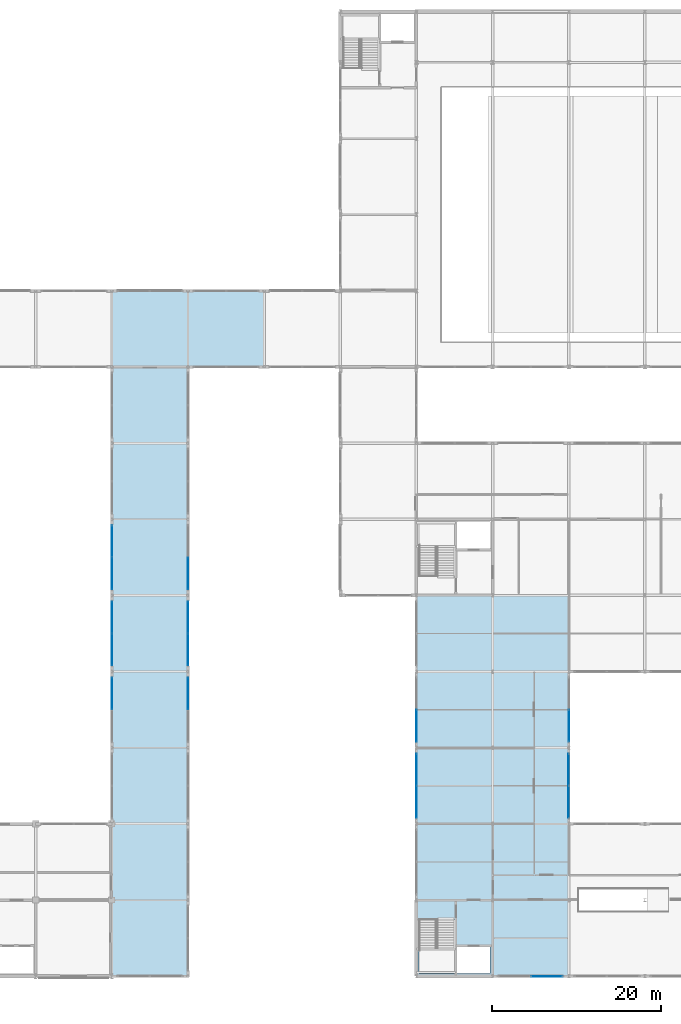
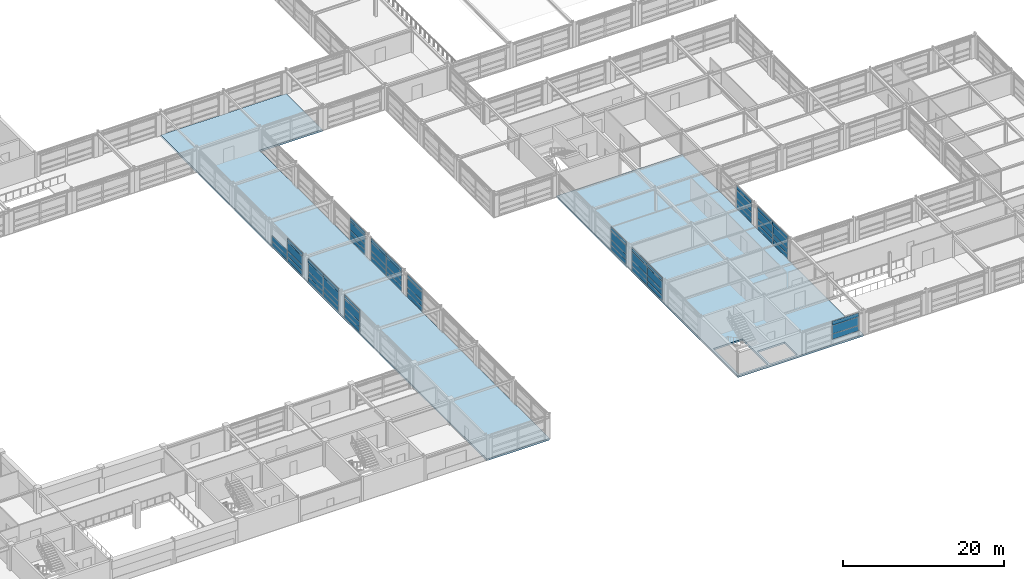
# One storey, part 52 of 79: 61 plates, 2 slabs, 11 elements without a shape of their own.
"""IFC4 building model written with IfcOpenShell, lengths in metres."""

from ifc_helpers import new_model, si_unit, direction, frame, origin, origin_2d, place, context, subcontext, project, spatial, polyline, rectangle, outline, extrude, material, layer, layer_set, type_object, element, aggregate, save


model = new_model("IFC4")

# Units and contexts
model_context = context("Model", 3, precision=1e-05, world=origin(), true_north=direction((0.0, 1.0)))
body_context = subcontext(model_context, "Body", "Model", "MODEL_VIEW")
ifc_project = project(units=[si_unit("LENGTHUNIT", "METRE"), si_unit("AREAUNIT", "SQUARE_METRE"), si_unit("VOLUMEUNIT", "CUBIC_METRE"), si_unit("PLANEANGLEUNIT", "RADIAN"), si_unit("MASSUNIT", "GRAM", prefix="KILO")], contexts=[model_context])

# Site, building, storey
site_placement = place(None, origin())
site = spatial("IfcSite", under=ifc_project, at=site_placement, CompositionType="ELEMENT")
building_placement = place(site_placement, origin())
building = spatial("IfcBuilding", under=site, at=building_placement, Name="Palais des Congres Ocreval", CompositionType="ELEMENT")
storey_placement = place(building_placement, frame((0.0, 0.0, 4.320068359375)))
storey = spatial("IfcBuildingStorey", under=building, at=storey_placement, Name="L01", CompositionType="ELEMENT", Elevation=4.320068359375)

# Curtain wall, plates
ifc_material_1 = material(Name="Anodized bronze aluminium and low-E glass", Category="glass")
curtain_wall_type = type_object("IfcCurtainWallType", Name="Unitised Curtain Wall 7900x3660", PredefinedType="USERDEFINED", material=ifc_material_1)
curtain_wall_1_placement = place(storey_placement, origin())
curtain_wall_1 = element("IfcCurtainWall", 1, at=curtain_wall_1_placement, inside=storey, type_object=curtain_wall_type, Name="Unitised Curtain Wall CW02 L01", ObjectType="UNITISED CURTAIN WALL", PredefinedType="USERDEFINED")
ifc_material_2 = material(Name="Acoustic triple glazing", Category="glass")
ifc_layer_1 = layer(ifc_material_2, 0.0439453125)
ifc_layer_set_1 = layer_set([ifc_layer_1], Name="Acoustic Laminated Glazing Panel 44 (Acoustic triple glazing)")
plate_type_1 = type_object("IfcPlateType", Name="Acoustic Laminated Glazing Panel 44", PredefinedType="CURTAIN_PANEL", material=ifc_layer_set_1)
plate_1_placement = place(storey_placement, frame((123.40625, 0.0, 0.81005859375), z_axis=(0.0, 0.0, 1.0), x_axis=(-1.0, 0.0, 0.0)))
plate_1 = element("IfcPlate", 2, at=plate_1_placement, type_object=plate_type_1, Name="Vision Glazing Panel VP02", PredefinedType="CURTAIN_PANEL", context=body_context, shape_type="SweptSolid", body=[
    extrude(rectangle(XDim=3.737548828125, YDim=0.0439453125, at=origin_2d()), origin(), (0.0, 0.0, 1.0), 0.782470703125),
])
plate_2_placement = place(storey_placement, frame((123.40625, 0.0, 1.65234375), z_axis=(0.0, 0.0, 1.0), x_axis=(-1.0, 0.0, 0.0)))
plate_2 = element("IfcPlate", 3, at=plate_2_placement, type_object=plate_type_1, Name="Vision Glazing Panel VP02", PredefinedType="CURTAIN_PANEL", context=body_context, shape_type="SweptSolid", body=[
    extrude(rectangle(XDim=3.737548828125, YDim=0.0439453125, at=origin_2d()), origin(), (0.0, 0.0, 1.0), 1.267578125),
])

curtain_wall_2_placement = place(storey_placement, origin())
curtain_wall_2 = element("IfcCurtainWall", 4, at=curtain_wall_2_placement, inside=storey, type_object=curtain_wall_type, Name="Unitised Curtain Wall CW02 L01", ObjectType="UNITISED CURTAIN WALL", PredefinedType="USERDEFINED")
plate_3_placement = place(storey_placement, frame((108.0, 29.59375, 0.06005859375), z_axis=(0.0, 0.0, 1.0), x_axis=(0.0, 1.0, 0.0)))
plate_3 = element("IfcPlate", 5, at=plate_3_placement, type_object=plate_type_1, Name="Vision Glazing Panel VP02", PredefinedType="CURTAIN_PANEL", context=body_context, shape_type="SweptSolid", body=[
    extrude(rectangle(XDim=3.737548828125, YDim=0.0439453125, at=origin_2d()), origin(), (0.0, 0.0, 1.0), 0.68994140625),
])
plate_4_placement = place(storey_placement, frame((108.0, 29.59375, 0.81005859375), z_axis=(0.0, 0.0, 1.0), x_axis=(0.0, 1.0, 0.0)))
plate_4 = element("IfcPlate", 6, at=plate_4_placement, type_object=plate_type_1, Name="Vision Glazing Panel VP02", PredefinedType="CURTAIN_PANEL", context=body_context, shape_type="SweptSolid", body=[
    extrude(rectangle(XDim=3.737548828125, YDim=0.0439453125, at=origin_2d()), origin(), (0.0, 0.0, 1.0), 0.782470703125),
])
plate_5_placement = place(storey_placement, frame((108.0, 29.59375, 1.65234375), z_axis=(0.0, 0.0, 1.0), x_axis=(0.0, 1.0, 0.0)))
plate_5 = element("IfcPlate", 7, at=plate_5_placement, type_object=plate_type_1, Name="Vision Glazing Panel VP02", PredefinedType="CURTAIN_PANEL", context=body_context, shape_type="SweptSolid", body=[
    extrude(rectangle(XDim=3.737548828125, YDim=0.0439453125, at=origin_2d()), origin(), (0.0, 0.0, 1.0), 1.267578125),
])

curtain_wall_3_placement = place(storey_placement, origin())
curtain_wall_3 = element("IfcCurtainWall", 8, at=curtain_wall_3_placement, inside=storey, type_object=curtain_wall_type, Name="Unitised Curtain Wall CW02 L01", ObjectType="UNITISED CURTAIN WALL", PredefinedType="USERDEFINED")
plate_6_placement = place(storey_placement, frame((81.0, 33.40625, 0.06005859375), z_axis=(0.0, 0.0, 1.0), x_axis=(0.0, -1.0, 0.0)))
plate_6 = element("IfcPlate", 9, at=plate_6_placement, type_object=plate_type_1, Name="Vision Glazing Panel VP02", PredefinedType="CURTAIN_PANEL", context=body_context, shape_type="SweptSolid", body=[
    extrude(rectangle(XDim=3.737548828125, YDim=0.0439453125, at=origin_2d()), origin(), (0.0, 0.0, 1.0), 0.68994140625),
])
plate_7_placement = place(storey_placement, frame((81.0, 33.40625, 0.81005859375), z_axis=(0.0, 0.0, 1.0), x_axis=(0.0, -1.0, 0.0)))
plate_7 = element("IfcPlate", 10, at=plate_7_placement, type_object=plate_type_1, Name="Vision Glazing Panel VP02", PredefinedType="CURTAIN_PANEL", context=body_context, shape_type="SweptSolid", body=[
    extrude(rectangle(XDim=3.737548828125, YDim=0.0439453125, at=origin_2d()), origin(), (0.0, 0.0, 1.0), 0.777099609375),
])
plate_8_placement = place(storey_placement, frame((81.0, 33.40625, 1.64697265625), z_axis=(0.0, 0.0, 1.0), x_axis=(0.0, -1.0, 0.0)))
plate_8 = element("IfcPlate", 11, at=plate_8_placement, type_object=plate_type_1, Name="Vision Glazing Panel VP02", PredefinedType="CURTAIN_PANEL", context=body_context, shape_type="SweptSolid", body=[
    extrude(rectangle(XDim=3.737548828125, YDim=0.0439453125, at=origin_2d()), origin(), (0.0, 0.0, 1.0), 1.262939453125),
])

curtain_wall_4_placement = place(storey_placement, origin())
curtain_wall_4 = element("IfcCurtainWall", 12, at=curtain_wall_4_placement, inside=storey, type_object=curtain_wall_type, Name="Unitised Curtain Wall CW02 L01", ObjectType="UNITISED CURTAIN WALL", PredefinedType="USERDEFINED")
plate_9_placement = place(storey_placement, frame((72.0, 47.59375, 0.06005859375), z_axis=(0.0, 0.0, 1.0), x_axis=(0.0, 1.0, 0.0)))
plate_9 = element("IfcPlate", 13, at=plate_9_placement, type_object=plate_type_1, Name="Vision Glazing Panel VP02", PredefinedType="CURTAIN_PANEL", context=body_context, shape_type="SweptSolid", body=[
    extrude(rectangle(XDim=3.737548828125, YDim=0.0439453125, at=origin_2d()), origin(), (0.0, 0.0, 1.0), 0.68994140625),
])
plate_10_placement = place(storey_placement, frame((72.0, 47.59375, 0.81005859375), z_axis=(0.0, 0.0, 1.0), x_axis=(0.0, 1.0, 0.0)))
plate_10 = element("IfcPlate", 14, at=plate_10_placement, type_object=plate_type_1, Name="Vision Glazing Panel VP02", PredefinedType="CURTAIN_PANEL", context=body_context, shape_type="SweptSolid", body=[
    extrude(rectangle(XDim=3.737548828125, YDim=0.0439453125, at=origin_2d()), origin(), (0.0, 0.0, 1.0), 0.777099609375),
])
plate_11_placement = place(storey_placement, frame((72.0, 47.59375, 1.64697265625), z_axis=(0.0, 0.0, 1.0), x_axis=(0.0, 1.0, 0.0)))
plate_11 = element("IfcPlate", 15, at=plate_11_placement, type_object=plate_type_1, Name="Vision Glazing Panel VP02", PredefinedType="CURTAIN_PANEL", context=body_context, shape_type="SweptSolid", body=[
    extrude(rectangle(XDim=3.737548828125, YDim=0.0439453125, at=origin_2d()), origin(), (0.0, 0.0, 1.0), 1.262939453125),
])
plate_12_placement = place(storey_placement, frame((72.0, 51.40625, 0.06005859375), z_axis=(0.0, 0.0, 1.0), x_axis=(0.0, 1.0, 0.0)))
plate_12 = element("IfcPlate", 16, at=plate_12_placement, type_object=plate_type_1, Name="Vision Glazing Panel VP02", PredefinedType="CURTAIN_PANEL", context=body_context, shape_type="SweptSolid", body=[
    extrude(rectangle(XDim=3.737548828125, YDim=0.0439453125, at=origin_2d()), origin(), (0.0, 0.0, 1.0), 0.68994140625),
])
plate_13_placement = place(storey_placement, frame((72.0, 51.40625, 0.81005859375), z_axis=(0.0, 0.0, 1.0), x_axis=(0.0, 1.0, 0.0)))
plate_13 = element("IfcPlate", 17, at=plate_13_placement, type_object=plate_type_1, Name="Vision Glazing Panel VP02", PredefinedType="CURTAIN_PANEL", context=body_context, shape_type="SweptSolid", body=[
    extrude(rectangle(XDim=3.737548828125, YDim=0.0439453125, at=origin_2d()), origin(), (0.0, 0.0, 1.0), 0.777099609375),
])

curtain_wall_5_placement = place(storey_placement, origin())
curtain_wall_5 = element("IfcCurtainWall", 18, at=curtain_wall_5_placement, inside=storey, type_object=curtain_wall_type, Name="Unitised Curtain Wall CW02 L01", ObjectType="UNITISED CURTAIN WALL", PredefinedType="USERDEFINED")
plate_14_placement = place(storey_placement, frame((126.0, 24.40625, 0.06005859375), z_axis=(0.0, 0.0, 1.0), x_axis=(0.0, -1.0, 0.0)))
plate_14 = element("IfcPlate", 19, at=plate_14_placement, type_object=plate_type_1, Name="Vision Glazing Panel VP02", PredefinedType="CURTAIN_PANEL", context=body_context, shape_type="SweptSolid", body=[
    extrude(rectangle(XDim=3.737548828125, YDim=0.0439453125, at=origin_2d()), origin(), (0.0, 0.0, 1.0), 0.68994140625),
])
plate_15_placement = place(storey_placement, frame((126.0, 24.40625, 0.81005859375), z_axis=(0.0, 0.0, 1.0), x_axis=(0.0, -1.0, 0.0)))
plate_15 = element("IfcPlate", 20, at=plate_15_placement, type_object=plate_type_1, Name="Vision Glazing Panel VP02", PredefinedType="CURTAIN_PANEL", context=body_context, shape_type="SweptSolid", body=[
    extrude(rectangle(XDim=3.737548828125, YDim=0.0439453125, at=origin_2d()), origin(), (0.0, 0.0, 1.0), 0.782470703125),
])
plate_16_placement = place(storey_placement, frame((126.0, 24.40625, 1.65234375), z_axis=(0.0, 0.0, 1.0), x_axis=(0.0, -1.0, 0.0)))
plate_16 = element("IfcPlate", 21, at=plate_16_placement, type_object=plate_type_1, Name="Vision Glazing Panel VP02", PredefinedType="CURTAIN_PANEL", context=body_context, shape_type="SweptSolid", body=[
    extrude(rectangle(XDim=3.737548828125, YDim=0.0439453125, at=origin_2d()), origin(), (0.0, 0.0, 1.0), 1.267578125),
])
plate_17_placement = place(storey_placement, frame((126.0, 20.59375, 0.06005859375), z_axis=(0.0, 0.0, 1.0), x_axis=(0.0, -1.0, 0.0)))
plate_17 = element("IfcPlate", 22, at=plate_17_placement, type_object=plate_type_1, Name="Vision Glazing Panel VP02", PredefinedType="CURTAIN_PANEL", context=body_context, shape_type="SweptSolid", body=[
    extrude(rectangle(XDim=3.737548828125, YDim=0.0439453125, at=origin_2d()), origin(), (0.0, 0.0, 1.0), 0.68994140625),
])
plate_18_placement = place(storey_placement, frame((126.0, 20.59375, 0.81005859375), z_axis=(0.0, 0.0, 1.0), x_axis=(0.0, -1.0, 0.0)))
plate_18 = element("IfcPlate", 23, at=plate_18_placement, type_object=plate_type_1, Name="Vision Glazing Panel VP02", PredefinedType="CURTAIN_PANEL", context=body_context, shape_type="SweptSolid", body=[
    extrude(rectangle(XDim=3.737548828125, YDim=0.0439453125, at=origin_2d()), origin(), (0.0, 0.0, 1.0), 0.782470703125),
])
plate_19_placement = place(storey_placement, frame((126.0, 20.59375, 1.65234375), z_axis=(0.0, 0.0, 1.0), x_axis=(0.0, -1.0, 0.0)))
plate_19 = element("IfcPlate", 24, at=plate_19_placement, type_object=plate_type_1, Name="Vision Glazing Panel VP02", PredefinedType="CURTAIN_PANEL", context=body_context, shape_type="SweptSolid", body=[
    extrude(rectangle(XDim=3.737548828125, YDim=0.0439453125, at=origin_2d()), origin(), (0.0, 0.0, 1.0), 1.267578125),
])

# Plate
ifc_material_3 = material(Name="Anodized bronze aluminium", Category="aluminium")
ifc_layer_2 = layer(ifc_material_3, 0.06005859375)
ifc_layer_set_2 = layer_set([ifc_layer_2], Name="Anodized Bronze Spandrel Cassette 60 (Anodized bronze aluminium)")
plate_type_2 = type_object("IfcPlateType", Name="Anodized Bronze Spandrel Cassette 60", PredefinedType="SHEET", material=ifc_layer_set_2)
plate_20_placement = place(storey_placement, frame((108.0, 29.59375, 2.97998046875), z_axis=(0.0, 0.0, 1.0), x_axis=(0.0, 1.0, 0.0)))
plate_20 = element("IfcPlate", 25, at=plate_20_placement, type_object=plate_type_2, Name="Spandrel Sheet SPN1", PredefinedType="SHEET", context=body_context, shape_type="SweptSolid", body=[
    extrude(rectangle(XDim=3.737548828125, YDim=0.06005859375, at=origin_2d()), origin(), (0.0, 0.0, 1.0), 0.56005859375),
])

aggregate(curtain_wall_2, [plate_3, plate_4, plate_5, plate_20])

# Curtain wall, plate
curtain_wall_6_placement = place(storey_placement, origin())
curtain_wall_6 = element("IfcCurtainWall", 26, at=curtain_wall_6_placement, inside=storey, type_object=curtain_wall_type, Name="Unitised Curtain Wall CW02 L01", ObjectType="UNITISED CURTAIN WALL", PredefinedType="USERDEFINED")
plate_21_placement = place(storey_placement, frame((81.0, 47.59375, 2.969970703125), z_axis=(0.0, 0.0, 1.0), x_axis=(0.0, -1.0, 0.0)))
plate_21 = element("IfcPlate", 27, at=plate_21_placement, type_object=plate_type_2, Name="Spandrel Sheet SPN1", PredefinedType="SHEET", context=body_context, shape_type="SweptSolid", body=[
    extrude(rectangle(XDim=3.737548828125, YDim=0.06005859375, at=origin_2d()), origin(), (0.0, 0.0, 1.0), 0.56005859375),
])

# Plate
plate_22_placement = place(storey_placement, frame((81.0, 33.40625, 2.969970703125), z_axis=(0.0, 0.0, 1.0), x_axis=(0.0, -1.0, 0.0)))
plate_22 = element("IfcPlate", 28, at=plate_22_placement, type_object=plate_type_2, Name="Spandrel Sheet SPN1", PredefinedType="SHEET", context=body_context, shape_type="SweptSolid", body=[
    extrude(rectangle(XDim=3.737548828125, YDim=0.06005859375, at=origin_2d()), origin(), (0.0, 0.0, 1.0), 0.56005859375),
])

aggregate(curtain_wall_3, [plate_6, plate_7, plate_8, plate_22])

# Curtain wall, plate
curtain_wall_7_placement = place(storey_placement, origin())
curtain_wall_7 = element("IfcCurtainWall", 29, at=curtain_wall_7_placement, inside=storey, type_object=curtain_wall_type, Name="Unitised Curtain Wall CW02 L01", ObjectType="UNITISED CURTAIN WALL", PredefinedType="USERDEFINED")
plate_23_placement = place(storey_placement, frame((72.0, 33.40625, 2.969970703125), z_axis=(0.0, 0.0, 1.0), x_axis=(0.0, 1.0, 0.0)))
plate_23 = element("IfcPlate", 30, at=plate_23_placement, type_object=plate_type_2, Name="Spandrel Sheet SPN1", PredefinedType="SHEET", context=body_context, shape_type="SweptSolid", body=[
    extrude(rectangle(XDim=3.737548828125, YDim=0.06005859375, at=origin_2d()), origin(), (0.0, 0.0, 1.0), 0.56005859375),
])

# Plate
plate_24_placement = place(storey_placement, frame((72.0, 47.59375, 2.969970703125), z_axis=(0.0, 0.0, 1.0), x_axis=(0.0, 1.0, 0.0)))
plate_24 = element("IfcPlate", 31, at=plate_24_placement, type_object=plate_type_2, Name="Spandrel Sheet SPN1", PredefinedType="SHEET", context=body_context, shape_type="SweptSolid", body=[
    extrude(rectangle(XDim=3.737548828125, YDim=0.06005859375, at=origin_2d()), origin(), (0.0, 0.0, 1.0), 0.56005859375),
])

aggregate(curtain_wall_4, [plate_9, plate_10, plate_11, plate_24, plate_12, plate_13])

# Curtain wall, plate
curtain_wall_8_placement = place(storey_placement, origin())
curtain_wall_8 = element("IfcCurtainWall", 32, at=curtain_wall_8_placement, inside=storey, type_object=curtain_wall_type, Name="Unitised Curtain Wall CW02 L01", ObjectType="UNITISED CURTAIN WALL", PredefinedType="USERDEFINED")
plate_25_placement = place(storey_placement, frame((126.0, 29.59375, 2.97998046875), z_axis=(0.0, 0.0, 1.0), x_axis=(0.0, -1.0, 0.0)))
plate_25 = element("IfcPlate", 33, at=plate_25_placement, type_object=plate_type_2, Name="Spandrel Sheet SPN1", PredefinedType="SHEET", context=body_context, shape_type="SweptSolid", body=[
    extrude(rectangle(XDim=3.737548828125, YDim=0.06005859375, at=origin_2d()), origin(), (0.0, 0.0, 1.0), 0.56005859375),
])

# Slabs
ifc_material_4 = material(Name="Concrete C35/45", Category="concrete")
ifc_layer_3 = layer(ifc_material_4, 0.2548828125)
ifc_layer_set_3 = layer_set([ifc_layer_3], Name="Composite Floor Deck 255 Concrete C35/45")
slab_type_1 = type_object("IfcSlabType", Name="Composite Floor Deck 255 Concrete C35/45", PredefinedType="FLOOR", material=ifc_layer_set_3)
slab_1_placement = place(storey_placement, frame((0.0, 0.0, -0.255126953125)))
element("IfcSlab", 34, at=slab_1_placement, inside=storey, type_object=slab_type_1, Name="Floor Slab SL13 L01 V3-1", PredefinedType="FLOOR", context=body_context, shape_type="SweptSolid", body=[
    extrude(outline(polyline([(108.0, 18.0), (108.0, 45.0), (126.0, 45.0), (126.0, 36.0), (126.0, 18.0), (126.0, 0.0), (108.0, 0.0), (108.0, 18.0)]), holes=[polyline([(116.699951171875, 3.449951171875), (112.800048828125, 3.449951171875), (112.800048828125, 0.300048828125), (116.699951171875, 0.300048828125), (116.699951171875, 3.449951171875)]), polyline([(108.300048828125, 6.64990234375), (108.300048828125, 0.300048828125), (112.5, 0.300048828125), (112.5, 6.64990234375), (108.300048828125, 6.64990234375)])]), origin(), (0.0, 0.0, 1.0), 0.255126953125),
])
ifc_layer_4 = layer(ifc_material_4, 0.264892578125)
ifc_layer_set_4 = layer_set([ifc_layer_4], Name="Crossroads Gallery Composite Slab 265 Concrete C35/45")
slab_type_2 = type_object("IfcSlabType", Name="Crossroads Gallery Composite Slab 265 Concrete C35/45", PredefinedType="FLOOR", material=ifc_layer_set_4)
slab_2_placement = place(storey_placement, frame((0.0, 0.0, -0.26513671875)))
element("IfcSlab", 35, at=slab_2_placement, inside=storey, type_object=slab_type_2, Name="Floor Slab SL14 L01 V5-5", PredefinedType="FLOOR", context=body_context, shape_type="SweptSolid", body=[
    extrude(outline(polyline([(90.0, 81.0), (90.0, 72.0), (81.0, 72.0), (81.0, 0.0), (72.0, 0.0), (72.0, 72.0), (72.0, 81.0), (90.0, 81.0)])), origin(), (0.0, 0.0, 1.0), 0.26513671875),
])

# Plate
ifc_material_5 = material(Name="Low-E solar-control double glazing", Category="glass")
ifc_layer_5 = layer(ifc_material_5, 0.031982421875)
ifc_layer_set_5 = layer_set([ifc_layer_5], Name="Galleria Clear Vision Panel 32 (Low-E solar-control double glazing)")
plate_type_3 = type_object("IfcPlateType", Name="Galleria Clear Vision Panel 32", PredefinedType="CURTAIN_PANEL", material=ifc_layer_set_5)
plate_26_placement = place(storey_placement, frame((81.0, 47.59375, 0.06005859375), z_axis=(0.0, 0.0, 1.0), x_axis=(0.0, -1.0, 0.0)))
plate_26 = element("IfcPlate", 36, at=plate_26_placement, type_object=plate_type_3, Name="Vision Glazing Panel VP03", PredefinedType="CURTAIN_PANEL", context=body_context, shape_type="SweptSolid", body=[
    extrude(rectangle(XDim=3.737548828125, YDim=0.031982421875, at=origin_2d()), origin(), (0.0, 0.0, 1.0), 0.68994140625),
])

plate_27_placement = place(storey_placement, frame((81.0, 47.59375, 0.81005859375), z_axis=(0.0, 0.0, 1.0), x_axis=(0.0, -1.0, 0.0)))
plate_27 = element("IfcPlate", 37, at=plate_27_placement, type_object=plate_type_3, Name="Vision Glazing Panel VP03", PredefinedType="CURTAIN_PANEL", context=body_context, shape_type="SweptSolid", body=[
    extrude(rectangle(XDim=3.737548828125, YDim=0.031982421875, at=origin_2d()), origin(), (0.0, 0.0, 1.0), 0.777099609375),
])

plate_28_placement = place(storey_placement, frame((81.0, 47.59375, 1.64697265625), z_axis=(0.0, 0.0, 1.0), x_axis=(0.0, -1.0, 0.0)))
plate_28 = element("IfcPlate", 38, at=plate_28_placement, type_object=plate_type_3, Name="Vision Glazing Panel VP03", PredefinedType="CURTAIN_PANEL", context=body_context, shape_type="SweptSolid", body=[
    extrude(rectangle(XDim=3.737548828125, YDim=0.031982421875, at=origin_2d()), origin(), (0.0, 0.0, 1.0), 1.262939453125),
])

aggregate(curtain_wall_6, [plate_26, plate_27, plate_28, plate_21])

plate_29_placement = place(storey_placement, frame((72.0, 33.40625, 0.06005859375), z_axis=(0.0, 0.0, 1.0), x_axis=(0.0, 1.0, 0.0)))
plate_29 = element("IfcPlate", 39, at=plate_29_placement, type_object=plate_type_3, Name="Vision Glazing Panel VP03", PredefinedType="CURTAIN_PANEL", context=body_context, shape_type="SweptSolid", body=[
    extrude(rectangle(XDim=3.737548828125, YDim=0.031982421875, at=origin_2d()), origin(), (0.0, 0.0, 1.0), 0.68994140625),
])

plate_30_placement = place(storey_placement, frame((72.0, 33.40625, 0.81005859375), z_axis=(0.0, 0.0, 1.0), x_axis=(0.0, 1.0, 0.0)))
plate_30 = element("IfcPlate", 40, at=plate_30_placement, type_object=plate_type_3, Name="Vision Glazing Panel VP03", PredefinedType="CURTAIN_PANEL", context=body_context, shape_type="SweptSolid", body=[
    extrude(rectangle(XDim=3.737548828125, YDim=0.031982421875, at=origin_2d()), origin(), (0.0, 0.0, 1.0), 0.777099609375),
])

plate_31_placement = place(storey_placement, frame((72.0, 33.40625, 1.64697265625), z_axis=(0.0, 0.0, 1.0), x_axis=(0.0, 1.0, 0.0)))
plate_31 = element("IfcPlate", 41, at=plate_31_placement, type_object=plate_type_3, Name="Vision Glazing Panel VP03", PredefinedType="CURTAIN_PANEL", context=body_context, shape_type="SweptSolid", body=[
    extrude(rectangle(XDim=3.737548828125, YDim=0.031982421875, at=origin_2d()), origin(), (0.0, 0.0, 1.0), 1.262939453125),
])

aggregate(curtain_wall_7, [plate_29, plate_30, plate_31, plate_23])

# Curtain wall, plates
curtain_wall_9_placement = place(storey_placement, origin())
curtain_wall_9 = element("IfcCurtainWall", 42, at=curtain_wall_9_placement, inside=storey, type_object=curtain_wall_type, Name="Unitised Curtain Wall CW02 L01", ObjectType="UNITISED CURTAIN WALL", PredefinedType="USERDEFINED")
ifc_layer_6 = layer(ifc_material_5, 0.035888671875)
ifc_layer_set_6 = layer_set([ifc_layer_6], Name="Low-E Vision Glazing Panel 36 (Low-E solar-control double glazing)")
plate_type_4 = type_object("IfcPlateType", Name="Low-E Vision Glazing Panel 36", PredefinedType="CURTAIN_PANEL", material=ifc_layer_set_6)
plate_32_placement = place(storey_placement, frame((108.0, 20.59375, 0.06005859375), z_axis=(0.0, 0.0, 1.0), x_axis=(0.0, 1.0, 0.0)))
plate_32 = element("IfcPlate", 43, at=plate_32_placement, type_object=plate_type_4, Name="Vision Glazing Panel VP01", PredefinedType="CURTAIN_PANEL", context=body_context, shape_type="SweptSolid", body=[
    extrude(rectangle(XDim=3.737548828125, YDim=0.035888671875, at=origin_2d()), origin(), (0.0, 0.0, 1.0), 0.68994140625),
])
plate_33_placement = place(storey_placement, frame((108.0, 20.59375, 0.81005859375), z_axis=(0.0, 0.0, 1.0), x_axis=(0.0, 1.0, 0.0)))
plate_33 = element("IfcPlate", 44, at=plate_33_placement, type_object=plate_type_4, Name="Vision Glazing Panel VP01", PredefinedType="CURTAIN_PANEL", context=body_context, shape_type="SweptSolid", body=[
    extrude(rectangle(XDim=3.737548828125, YDim=0.035888671875, at=origin_2d()), origin(), (0.0, 0.0, 1.0), 0.782470703125),
])
plate_34_placement = place(storey_placement, frame((108.0, 20.59375, 1.65234375), z_axis=(0.0, 0.0, 1.0), x_axis=(0.0, 1.0, 0.0)))
plate_34 = element("IfcPlate", 45, at=plate_34_placement, type_object=plate_type_4, Name="Vision Glazing Panel VP01", PredefinedType="CURTAIN_PANEL", context=body_context, shape_type="SweptSolid", body=[
    extrude(rectangle(XDim=3.737548828125, YDim=0.035888671875, at=origin_2d()), origin(), (0.0, 0.0, 1.0), 1.267578125),
])
plate_35_placement = place(storey_placement, frame((108.0, 24.40625, 0.06005859375), z_axis=(0.0, 0.0, 1.0), x_axis=(0.0, 1.0, 0.0)))
plate_35 = element("IfcPlate", 46, at=plate_35_placement, type_object=plate_type_4, Name="Vision Glazing Panel VP01", PredefinedType="CURTAIN_PANEL", context=body_context, shape_type="SweptSolid", body=[
    extrude(rectangle(XDim=3.737548828125, YDim=0.035888671875, at=origin_2d()), origin(), (0.0, 0.0, 1.0), 0.68994140625),
])
plate_36_placement = place(storey_placement, frame((108.0, 24.40625, 0.81005859375), z_axis=(0.0, 0.0, 1.0), x_axis=(0.0, 1.0, 0.0)))
plate_36 = element("IfcPlate", 47, at=plate_36_placement, type_object=plate_type_4, Name="Vision Glazing Panel VP01", PredefinedType="CURTAIN_PANEL", context=body_context, shape_type="SweptSolid", body=[
    extrude(rectangle(XDim=3.737548828125, YDim=0.035888671875, at=origin_2d()), origin(), (0.0, 0.0, 1.0), 0.782470703125),
])
plate_37_placement = place(storey_placement, frame((108.0, 24.40625, 1.65234375), z_axis=(0.0, 0.0, 1.0), x_axis=(0.0, 1.0, 0.0)))
plate_37 = element("IfcPlate", 48, at=plate_37_placement, type_object=plate_type_4, Name="Vision Glazing Panel VP01", PredefinedType="CURTAIN_PANEL", context=body_context, shape_type="SweptSolid", body=[
    extrude(rectangle(XDim=3.737548828125, YDim=0.035888671875, at=origin_2d()), origin(), (0.0, 0.0, 1.0), 1.267578125),
])

curtain_wall_10_placement = place(storey_placement, origin())
curtain_wall_10 = element("IfcCurtainWall", 49, at=curtain_wall_10_placement, inside=storey, type_object=curtain_wall_type, Name="Unitised Curtain Wall CW02 L01", ObjectType="UNITISED CURTAIN WALL", PredefinedType="USERDEFINED")
plate_38_placement = place(storey_placement, frame((81.0, 42.40625, 0.06005859375), z_axis=(0.0, 0.0, 1.0), x_axis=(0.0, -1.0, 0.0)))
plate_38 = element("IfcPlate", 50, at=plate_38_placement, type_object=plate_type_4, Name="Vision Glazing Panel VP01", PredefinedType="CURTAIN_PANEL", context=body_context, shape_type="SweptSolid", body=[
    extrude(rectangle(XDim=3.737548828125, YDim=0.035888671875, at=origin_2d()), origin(), (0.0, 0.0, 1.0), 0.68994140625),
])
plate_39_placement = place(storey_placement, frame((81.0, 42.40625, 0.81005859375), z_axis=(0.0, 0.0, 1.0), x_axis=(0.0, -1.0, 0.0)))
plate_39 = element("IfcPlate", 51, at=plate_39_placement, type_object=plate_type_4, Name="Vision Glazing Panel VP01", PredefinedType="CURTAIN_PANEL", context=body_context, shape_type="SweptSolid", body=[
    extrude(rectangle(XDim=3.737548828125, YDim=0.035888671875, at=origin_2d()), origin(), (0.0, 0.0, 1.0), 0.777099609375),
])
plate_40_placement = place(storey_placement, frame((81.0, 42.40625, 1.64697265625), z_axis=(0.0, 0.0, 1.0), x_axis=(0.0, -1.0, 0.0)))
plate_40 = element("IfcPlate", 52, at=plate_40_placement, type_object=plate_type_4, Name="Vision Glazing Panel VP01", PredefinedType="CURTAIN_PANEL", context=body_context, shape_type="SweptSolid", body=[
    extrude(rectangle(XDim=3.737548828125, YDim=0.035888671875, at=origin_2d()), origin(), (0.0, 0.0, 1.0), 1.262939453125),
])
plate_41_placement = place(storey_placement, frame((81.0, 38.59375, 0.06005859375), z_axis=(0.0, 0.0, 1.0), x_axis=(0.0, -1.0, 0.0)))
plate_41 = element("IfcPlate", 53, at=plate_41_placement, type_object=plate_type_4, Name="Vision Glazing Panel VP01", PredefinedType="CURTAIN_PANEL", context=body_context, shape_type="SweptSolid", body=[
    extrude(rectangle(XDim=3.737548828125, YDim=0.035888671875, at=origin_2d()), origin(), (0.0, 0.0, 1.0), 0.68994140625),
])
plate_42_placement = place(storey_placement, frame((81.0, 38.59375, 0.81005859375), z_axis=(0.0, 0.0, 1.0), x_axis=(0.0, -1.0, 0.0)))
plate_42 = element("IfcPlate", 54, at=plate_42_placement, type_object=plate_type_4, Name="Vision Glazing Panel VP01", PredefinedType="CURTAIN_PANEL", context=body_context, shape_type="SweptSolid", body=[
    extrude(rectangle(XDim=3.737548828125, YDim=0.035888671875, at=origin_2d()), origin(), (0.0, 0.0, 1.0), 0.777099609375),
])
plate_43_placement = place(storey_placement, frame((81.0, 38.59375, 1.64697265625), z_axis=(0.0, 0.0, 1.0), x_axis=(0.0, -1.0, 0.0)))
plate_43 = element("IfcPlate", 55, at=plate_43_placement, type_object=plate_type_4, Name="Vision Glazing Panel VP01", PredefinedType="CURTAIN_PANEL", context=body_context, shape_type="SweptSolid", body=[
    extrude(rectangle(XDim=3.737548828125, YDim=0.035888671875, at=origin_2d()), origin(), (0.0, 0.0, 1.0), 1.262939453125),
])

curtain_wall_11_placement = place(storey_placement, origin())
curtain_wall_11 = element("IfcCurtainWall", 56, at=curtain_wall_11_placement, inside=storey, type_object=curtain_wall_type, Name="Unitised Curtain Wall CW02 L01", ObjectType="UNITISED CURTAIN WALL", PredefinedType="USERDEFINED")
plate_44_placement = place(storey_placement, frame((72.0, 38.59375, 0.06005859375), z_axis=(0.0, 0.0, 1.0), x_axis=(0.0, 1.0, 0.0)))
plate_44 = element("IfcPlate", 57, at=plate_44_placement, type_object=plate_type_4, Name="Vision Glazing Panel VP01", PredefinedType="CURTAIN_PANEL", context=body_context, shape_type="SweptSolid", body=[
    extrude(rectangle(XDim=3.737548828125, YDim=0.035888671875, at=origin_2d()), origin(), (0.0, 0.0, 1.0), 0.68994140625),
])
plate_45_placement = place(storey_placement, frame((72.0, 38.59375, 0.81005859375), z_axis=(0.0, 0.0, 1.0), x_axis=(0.0, 1.0, 0.0)))
plate_45 = element("IfcPlate", 58, at=plate_45_placement, type_object=plate_type_4, Name="Vision Glazing Panel VP01", PredefinedType="CURTAIN_PANEL", context=body_context, shape_type="SweptSolid", body=[
    extrude(rectangle(XDim=3.737548828125, YDim=0.035888671875, at=origin_2d()), origin(), (0.0, 0.0, 1.0), 0.777099609375),
])
plate_46_placement = place(storey_placement, frame((72.0, 38.59375, 1.64697265625), z_axis=(0.0, 0.0, 1.0), x_axis=(0.0, 1.0, 0.0)))
plate_46 = element("IfcPlate", 59, at=plate_46_placement, type_object=plate_type_4, Name="Vision Glazing Panel VP01", PredefinedType="CURTAIN_PANEL", context=body_context, shape_type="SweptSolid", body=[
    extrude(rectangle(XDim=3.737548828125, YDim=0.035888671875, at=origin_2d()), origin(), (0.0, 0.0, 1.0), 1.262939453125),
])
plate_47_placement = place(storey_placement, frame((72.0, 42.40625, 0.06005859375), z_axis=(0.0, 0.0, 1.0), x_axis=(0.0, 1.0, 0.0)))
plate_47 = element("IfcPlate", 60, at=plate_47_placement, type_object=plate_type_4, Name="Vision Glazing Panel VP01", PredefinedType="CURTAIN_PANEL", context=body_context, shape_type="SweptSolid", body=[
    extrude(rectangle(XDim=3.737548828125, YDim=0.035888671875, at=origin_2d()), origin(), (0.0, 0.0, 1.0), 0.68994140625),
])
plate_48_placement = place(storey_placement, frame((72.0, 42.40625, 0.81005859375), z_axis=(0.0, 0.0, 1.0), x_axis=(0.0, 1.0, 0.0)))
plate_48 = element("IfcPlate", 61, at=plate_48_placement, type_object=plate_type_4, Name="Vision Glazing Panel VP01", PredefinedType="CURTAIN_PANEL", context=body_context, shape_type="SweptSolid", body=[
    extrude(rectangle(XDim=3.737548828125, YDim=0.035888671875, at=origin_2d()), origin(), (0.0, 0.0, 1.0), 0.777099609375),
])
plate_49_placement = place(storey_placement, frame((72.0, 42.40625, 1.64697265625), z_axis=(0.0, 0.0, 1.0), x_axis=(0.0, 1.0, 0.0)))
plate_49 = element("IfcPlate", 62, at=plate_49_placement, type_object=plate_type_4, Name="Vision Glazing Panel VP01", PredefinedType="CURTAIN_PANEL", context=body_context, shape_type="SweptSolid", body=[
    extrude(rectangle(XDim=3.737548828125, YDim=0.035888671875, at=origin_2d()), origin(), (0.0, 0.0, 1.0), 1.262939453125),
])

# Plate
plate_50_placement = place(storey_placement, frame((126.0, 29.59375, 0.06005859375), z_axis=(0.0, 0.0, 1.0), x_axis=(0.0, -1.0, 0.0)))
plate_50 = element("IfcPlate", 63, at=plate_50_placement, type_object=plate_type_4, Name="Vision Glazing Panel VP01", PredefinedType="CURTAIN_PANEL", context=body_context, shape_type="SweptSolid", body=[
    extrude(rectangle(XDim=3.737548828125, YDim=0.035888671875, at=origin_2d()), origin(), (0.0, 0.0, 1.0), 0.68994140625),
])

plate_51_placement = place(storey_placement, frame((126.0, 29.59375, 0.81005859375), z_axis=(0.0, 0.0, 1.0), x_axis=(0.0, -1.0, 0.0)))
plate_51 = element("IfcPlate", 64, at=plate_51_placement, type_object=plate_type_4, Name="Vision Glazing Panel VP01", PredefinedType="CURTAIN_PANEL", context=body_context, shape_type="SweptSolid", body=[
    extrude(rectangle(XDim=3.737548828125, YDim=0.035888671875, at=origin_2d()), origin(), (0.0, 0.0, 1.0), 0.782470703125),
])

plate_52_placement = place(storey_placement, frame((126.0, 29.59375, 1.65234375), z_axis=(0.0, 0.0, 1.0), x_axis=(0.0, -1.0, 0.0)))
plate_52 = element("IfcPlate", 65, at=plate_52_placement, type_object=plate_type_4, Name="Vision Glazing Panel VP01", PredefinedType="CURTAIN_PANEL", context=body_context, shape_type="SweptSolid", body=[
    extrude(rectangle(XDim=3.737548828125, YDim=0.035888671875, at=origin_2d()), origin(), (0.0, 0.0, 1.0), 1.267578125),
])

aggregate(curtain_wall_8, [plate_50, plate_51, plate_52, plate_25])

ifc_material_6 = material(Name="Terracotta ceramic spandrel", Category="masonry")
ifc_layer_7 = layer(ifc_material_6, 0.080078125)
ifc_layer_set_7 = layer_set([ifc_layer_7], Name="Terracotta Insulated Spandrel Sheet 80 (Terracotta ceramic spandrel)")
plate_type_5 = type_object("IfcPlateType", Name="Terracotta Insulated Spandrel Sheet 80", PredefinedType="SHEET", material=ifc_layer_set_7)
plate_53_placement = place(storey_placement, frame((123.40625, 0.0, 2.97998046875), z_axis=(0.0, 0.0, 1.0), x_axis=(-1.0, 0.0, 0.0)))
plate_53 = element("IfcPlate", 66, at=plate_53_placement, type_object=plate_type_5, Name="Spandrel Sheet SPN2", PredefinedType="SHEET", context=body_context, shape_type="SweptSolid", body=[
    extrude(rectangle(XDim=3.737548828125, YDim=0.080078125, at=origin_2d()), origin(), (0.0, 0.0, 1.0), 0.56005859375),
])

aggregate(curtain_wall_1, [plate_1, plate_2, plate_53])

plate_54_placement = place(storey_placement, frame((108.0, 20.59375, 2.97998046875), z_axis=(0.0, 0.0, 1.0), x_axis=(0.0, 1.0, 0.0)))
plate_54 = element("IfcPlate", 67, at=plate_54_placement, type_object=plate_type_5, Name="Spandrel Sheet SPN2", PredefinedType="SHEET", context=body_context, shape_type="SweptSolid", body=[
    extrude(rectangle(XDim=3.737548828125, YDim=0.080078125, at=origin_2d()), origin(), (0.0, 0.0, 1.0), 0.56005859375),
])

plate_55_placement = place(storey_placement, frame((108.0, 24.40625, 2.97998046875), z_axis=(0.0, 0.0, 1.0), x_axis=(0.0, 1.0, 0.0)))
plate_55 = element("IfcPlate", 68, at=plate_55_placement, type_object=plate_type_5, Name="Spandrel Sheet SPN2", PredefinedType="SHEET", context=body_context, shape_type="SweptSolid", body=[
    extrude(rectangle(XDim=3.737548828125, YDim=0.080078125, at=origin_2d()), origin(), (0.0, 0.0, 1.0), 0.56005859375),
])

aggregate(curtain_wall_9, [plate_32, plate_33, plate_34, plate_54, plate_35, plate_36, plate_37, plate_55])

plate_56_placement = place(storey_placement, frame((81.0, 42.40625, 2.969970703125), z_axis=(0.0, 0.0, 1.0), x_axis=(0.0, -1.0, 0.0)))
plate_56 = element("IfcPlate", 69, at=plate_56_placement, type_object=plate_type_5, Name="Spandrel Sheet SPN2", PredefinedType="SHEET", context=body_context, shape_type="SweptSolid", body=[
    extrude(rectangle(XDim=3.737548828125, YDim=0.080078125, at=origin_2d()), origin(), (0.0, 0.0, 1.0), 0.56005859375),
])

plate_57_placement = place(storey_placement, frame((81.0, 38.59375, 2.969970703125), z_axis=(0.0, 0.0, 1.0), x_axis=(0.0, -1.0, 0.0)))
plate_57 = element("IfcPlate", 70, at=plate_57_placement, type_object=plate_type_5, Name="Spandrel Sheet SPN2", PredefinedType="SHEET", context=body_context, shape_type="SweptSolid", body=[
    extrude(rectangle(XDim=3.737548828125, YDim=0.080078125, at=origin_2d()), origin(), (0.0, 0.0, 1.0), 0.56005859375),
])

aggregate(curtain_wall_10, [plate_38, plate_39, plate_40, plate_56, plate_41, plate_42, plate_43, plate_57])

plate_58_placement = place(storey_placement, frame((72.0, 38.59375, 2.969970703125), z_axis=(0.0, 0.0, 1.0), x_axis=(0.0, 1.0, 0.0)))
plate_58 = element("IfcPlate", 71, at=plate_58_placement, type_object=plate_type_5, Name="Spandrel Sheet SPN2", PredefinedType="SHEET", context=body_context, shape_type="SweptSolid", body=[
    extrude(rectangle(XDim=3.737548828125, YDim=0.080078125, at=origin_2d()), origin(), (0.0, 0.0, 1.0), 0.56005859375),
])

plate_59_placement = place(storey_placement, frame((72.0, 42.40625, 2.969970703125), z_axis=(0.0, 0.0, 1.0), x_axis=(0.0, 1.0, 0.0)))
plate_59 = element("IfcPlate", 72, at=plate_59_placement, type_object=plate_type_5, Name="Spandrel Sheet SPN2", PredefinedType="SHEET", context=body_context, shape_type="SweptSolid", body=[
    extrude(rectangle(XDim=3.737548828125, YDim=0.080078125, at=origin_2d()), origin(), (0.0, 0.0, 1.0), 0.56005859375),
])

aggregate(curtain_wall_11, [plate_44, plate_45, plate_46, plate_58, plate_47, plate_48, plate_49, plate_59])

plate_60_placement = place(storey_placement, frame((126.0, 24.40625, 2.97998046875), z_axis=(0.0, 0.0, 1.0), x_axis=(0.0, -1.0, 0.0)))
plate_60 = element("IfcPlate", 73, at=plate_60_placement, type_object=plate_type_5, Name="Spandrel Sheet SPN2", PredefinedType="SHEET", context=body_context, shape_type="SweptSolid", body=[
    extrude(rectangle(XDim=3.737548828125, YDim=0.080078125, at=origin_2d()), origin(), (0.0, 0.0, 1.0), 0.56005859375),
])

plate_61_placement = place(storey_placement, frame((126.0, 20.59375, 2.97998046875), z_axis=(0.0, 0.0, 1.0), x_axis=(0.0, -1.0, 0.0)))
plate_61 = element("IfcPlate", 74, at=plate_61_placement, type_object=plate_type_5, Name="Spandrel Sheet SPN2", PredefinedType="SHEET", context=body_context, shape_type="SweptSolid", body=[
    extrude(rectangle(XDim=3.737548828125, YDim=0.080078125, at=origin_2d()), origin(), (0.0, 0.0, 1.0), 0.56005859375),
])

aggregate(curtain_wall_5, [plate_14, plate_15, plate_16, plate_60, plate_17, plate_18, plate_19, plate_61])

save(model, "model.ifc")
